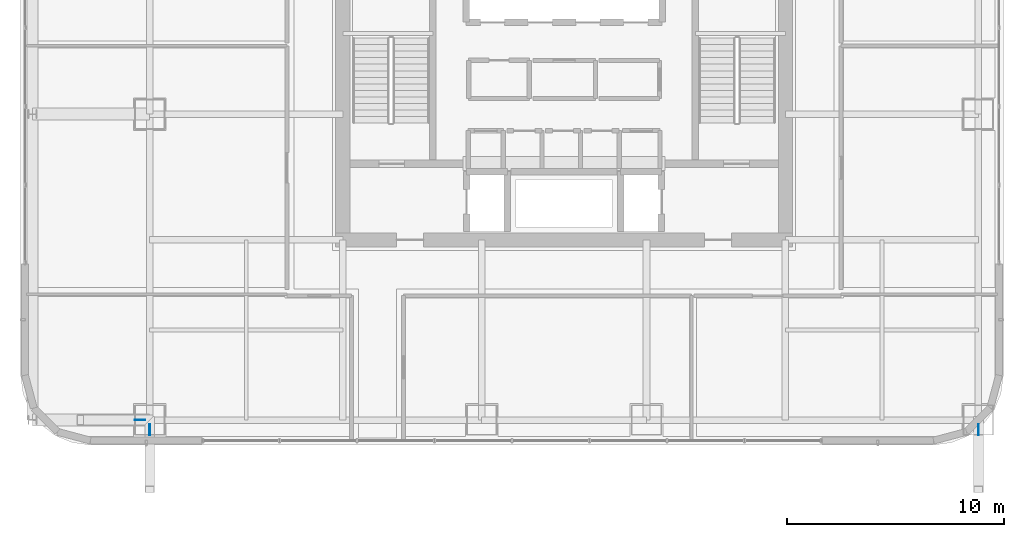
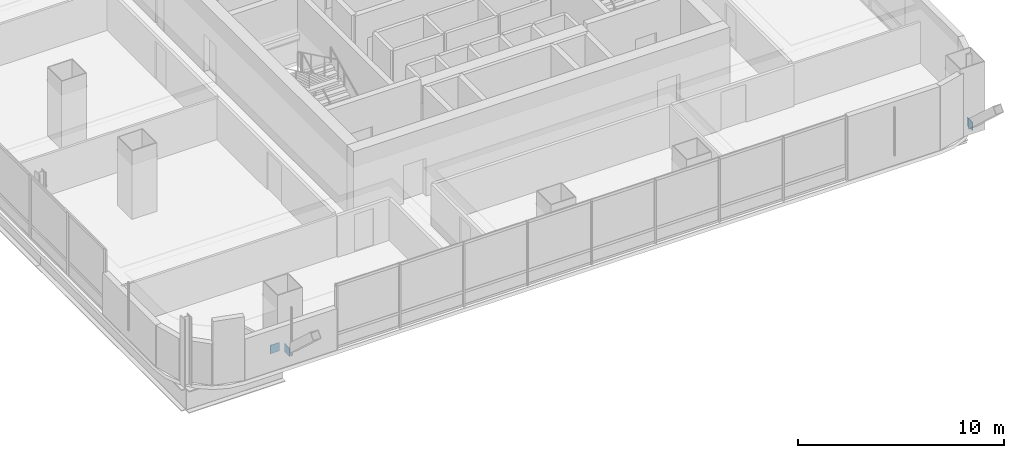
# One storey, part 31 of 47: 3 plates.
"""IFC4 building model written with IfcOpenShell, lengths in metres."""

from ifc_helpers import new_model, si_unit, direction, frame, origin, origin_2d, place, context, subcontext, project, spatial, rectangle, extrude, material, layer, layer_set, type_object, element, save


model = new_model("IFC4")

# Units and contexts
model_context = context("Model", 3, precision=1e-05, world=origin(), true_north=direction((0.0, 1.0)))
body_context = subcontext(model_context, "Body", "Model", "MODEL_VIEW")
ifc_project = project(units=[si_unit("LENGTHUNIT", "METRE"), si_unit("AREAUNIT", "SQUARE_METRE"), si_unit("VOLUMEUNIT", "CUBIC_METRE"), si_unit("PLANEANGLEUNIT", "RADIAN"), si_unit("MASSUNIT", "GRAM", prefix="KILO")], contexts=[model_context])

# Site, building, storey
site_placement = place(None, origin())
site = spatial("IfcSite", under=ifc_project, at=site_placement, CompositionType="ELEMENT")
building_placement = place(site_placement, origin())
building = spatial("IfcBuilding", under=site, at=building_placement, Name="Punatoya Terracotta Tower", CompositionType="ELEMENT")
storey_placement = place(building_placement, frame((0.0, 0.0, 168.14990234375)))
storey = spatial("IfcBuildingStorey", under=building, at=storey_placement, Name="L39", CompositionType="ELEMENT", Elevation=168.14990234375)

# Plates
ifc_material = material(Name="Steel S460", Category="steel")
ifc_layer = layer(ifc_material, 0.031982421875)
ifc_layer_set = layer_set([ifc_layer], Name="Steel S460")
plate_type = type_object("IfcPlateType", Name="PLT-END-32", PredefinedType="USERDEFINED", material=ifc_layer_set)
for number, where, z_axis, x_axis, name in (
    (1, (-19.548095703125, -17.5, 0.18310546875), (0.0, 0.0, 1.0), (1.0, 0.0, 0.0), "L40 Knee-Strut Base Gusset Plate W1"),
    (2, (-19.10009765625, -17.947998046875, 0.18310546875), (0.0, 0.0, 1.0), (0.0, 1.0, 0.0), "L40 Knee-Strut Base Gusset Plate S1"),
    (3, (19.10009765625, -17.947998046875, 0.18310546875), (0.0, 0.0, 1.0), (0.0, 1.0, 0.0), "L40 Knee-Strut Base Gusset Plate S2"),
):
    element("IfcPlate", number, at=place(storey_placement, frame(where, z_axis=z_axis, x_axis=x_axis)), inside=storey, type_object=plate_type, Name=name, ObjectType="FLANGE_PLATE", PredefinedType="USERDEFINED", context=body_context, shape_type="SweptSolid", body=[
        extrude(rectangle(XDim=0.5, YDim=0.031982421875, at=origin_2d()), origin(), (0.0, 0.0, 1.0), 0.5),
    ])

save(model, "model.ifc")
